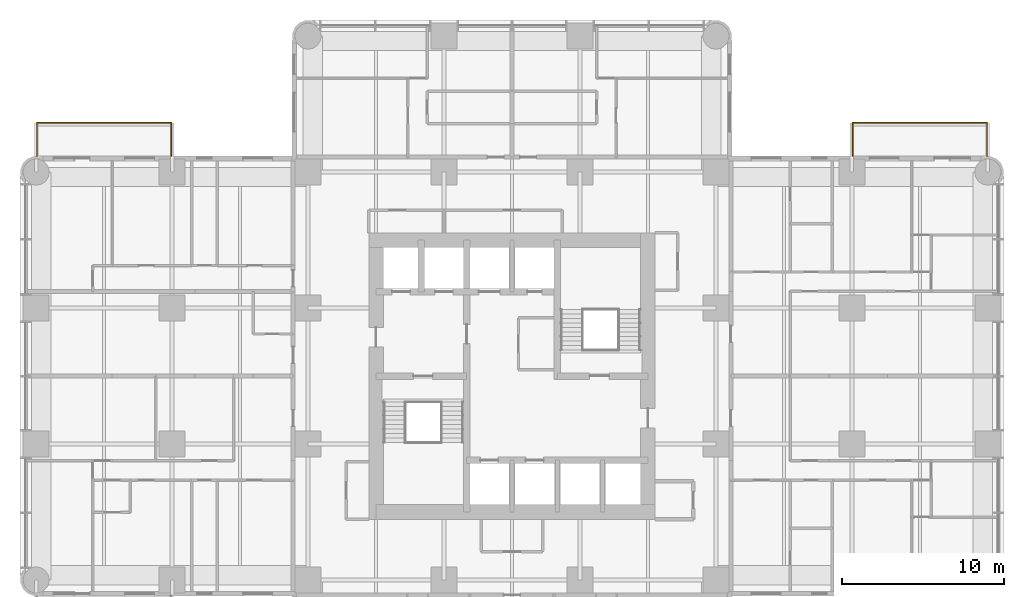
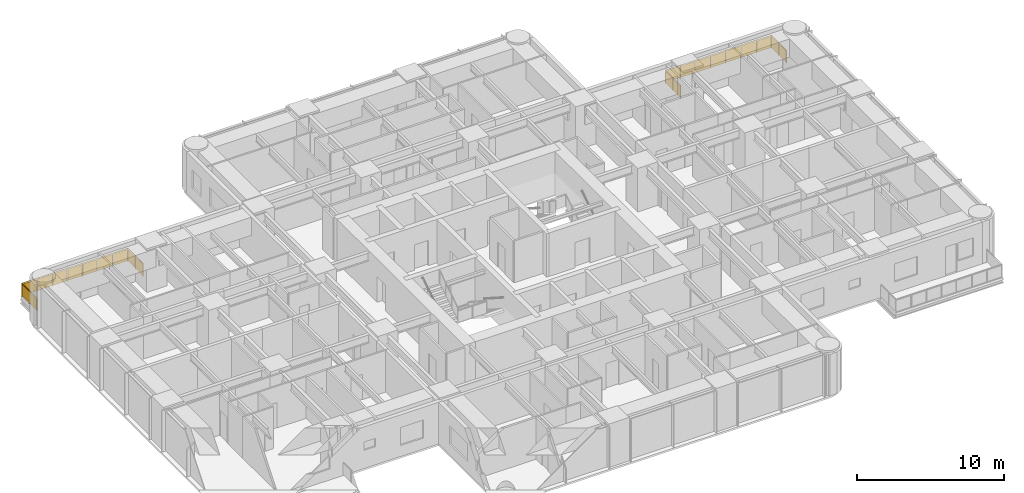
# One storey, part 15 of 15: 2 railings.
"""IFC4 building model written with IfcOpenShell, lengths in metres."""

from ifc_helpers import new_model, si_unit, direction, frame, origin, origin_2d, place, context, subcontext, project, spatial, polyline, circle, outline, extrude, material, constituent, constituent_set, type_object, element, save


model = new_model("IFC4")

# Units and contexts
model_context = context("Model", 3, precision=1e-05, world=origin(), true_north=direction((0.0, 1.0)))
body_context = subcontext(model_context, "Body", "Model", "MODEL_VIEW")
ifc_project = project(units=[si_unit("LENGTHUNIT", "METRE"), si_unit("AREAUNIT", "SQUARE_METRE"), si_unit("VOLUMEUNIT", "CUBIC_METRE"), si_unit("PLANEANGLEUNIT", "RADIAN"), si_unit("MASSUNIT", "GRAM", prefix="KILO")], contexts=[model_context])

# Site, building, storey
site_placement = place(None, origin())
site = spatial("IfcSite", under=ifc_project, at=site_placement, CompositionType="ELEMENT")
building_placement = place(site_placement, origin())
building = spatial("IfcBuilding", under=site, at=building_placement, Name="Torre Alcanfor", CompositionType="ELEMENT")
storey_placement = place(building_placement, frame((0.0, 0.0, 116.10009765625)))
storey = spatial("IfcBuildingStorey", under=building, at=storey_placement, Name="L29", CompositionType="ELEMENT", Elevation=116.10009765625)

# Railings
ifc_material_1 = material(Name="Laminated safety glass", Category="glass")
ifc_constituent_1 = constituent(ifc_material_1, Name="Infill")
ifc_material_2 = material(Name="Stainless steel ASTM A554 Grade MT 316L tube", Category="steel")
ifc_constituent_2 = constituent(ifc_material_2, Name="Posts and rail")
ifc_constituent_set = constituent_set(constituents=[ifc_constituent_1, ifc_constituent_2], Name="Balcony guard glass 1100")
railing_type = type_object("IfcRailingType", Name="Balcony guard glass 1100", PredefinedType="BALUSTRADE", material=ifc_constituent_set)
railing_1_placement = place(storey_placement, frame((50.449951171875, 43.0, 0.0)))
element("IfcRailing", 1, at=railing_1_placement, inside=storey, type_object=railing_type, Name="Balcony guard L29-E1", PredefinedType="BALUSTRADE", context=body_context, shape_type="SweptSolid", body=[
    extrude(circle(Radius=0.02392578125, at=origin_2d()), frame((0.0, 0.0, 1.076171875), z_axis=(0.0, 1.0, 0.0), x_axis=(-1.0, 0.0, 0.0)), (0.0, 0.0, 1.0), 2.050048828125),
    extrude(circle(Radius=0.02392578125, at=origin_2d()), frame((0.0, 2.050048828125, 1.076171875), z_axis=(1.0, 0.0, 0.0), x_axis=(0.0, 1.0, 0.0)), (0.0, 0.0, 1.0), 8.300048828125),
    extrude(circle(Radius=0.02392578125, at=origin_2d()), frame((8.300048828125, 2.050048828125, 1.076171875), z_axis=(0.0, -1.0, 0.0), x_axis=(1.0, 0.0, 0.0)), (0.0, 0.0, 1.0), 2.050048828125),
    extrude(circle(Radius=0.02099609375, at=origin_2d()), origin(), (0.0, 0.0, 1.0), 1.052001953125),
    extrude(circle(Radius=0.02099609375, at=origin_2d()), frame((0.0, 1.02490234375, 0.0)), (0.0, 0.0, 1.0), 1.052001953125),
    extrude(circle(Radius=0.02099609375, at=origin_2d()), frame((0.0, 2.050048828125, 0.0)), (0.0, 0.0, 1.0), 1.052001953125),
    extrude(circle(Radius=0.02099609375, at=origin_2d()), frame((1.185791015625, 2.050048828125, 0.0)), (0.0, 0.0, 1.0), 1.052001953125),
    extrude(circle(Radius=0.02099609375, at=origin_2d()), frame((2.371337890625, 2.050048828125, 0.0)), (0.0, 0.0, 1.0), 1.052001953125),
    extrude(circle(Radius=0.02099609375, at=origin_2d()), frame((3.55712890625, 2.050048828125, 0.0)), (0.0, 0.0, 1.0), 1.052001953125),
    extrude(circle(Radius=0.02099609375, at=origin_2d()), frame((4.742919921875, 2.050048828125, 0.0)), (0.0, 0.0, 1.0), 1.052001953125),
    extrude(circle(Radius=0.02099609375, at=origin_2d()), frame((5.9287109375, 2.050048828125, 0.0)), (0.0, 0.0, 1.0), 1.052001953125),
    extrude(circle(Radius=0.02099609375, at=origin_2d()), frame((7.1142578125, 2.050048828125, 0.0)), (0.0, 0.0, 1.0), 1.052001953125),
    extrude(circle(Radius=0.02099609375, at=origin_2d()), frame((8.300048828125, 2.050048828125, 0.0)), (0.0, 0.0, 1.0), 1.052001953125),
    extrude(circle(Radius=0.02099609375, at=origin_2d()), frame((8.300048828125, 1.02490234375, 0.0)), (0.0, 0.0, 1.0), 1.052001953125),
    extrude(circle(Radius=0.02099609375, at=origin_2d()), frame((8.300048828125, 0.0, 0.0)), (0.0, 0.0, 1.0), 1.052001953125),
    extrude(outline(polyline([(0.041015625, 0.050048828125), (0.984130859375, 0.050048828125), (0.984130859375, 1.001953125), (0.041015625, 1.001953125), (0.041015625, 0.050048828125)])), frame((-0.005859375, 0.0, 0.0), z_axis=(1.0, 0.0, 0.0), x_axis=(0.0, 1.0, 0.0)), (0.0, 0.0, 1.0), 0.011962890625),
    extrude(outline(polyline([(1.06591796875, 0.050048828125), (2.009033203125, 0.050048828125), (2.009033203125, 1.001953125), (1.06591796875, 1.001953125), (1.06591796875, 0.050048828125)])), frame((-0.005859375, 0.0, 0.0), z_axis=(1.0, 0.0, 0.0), x_axis=(0.0, 1.0, 0.0)), (0.0, 0.0, 1.0), 0.011962890625),
    extrude(outline(polyline([(0.041015625, 0.050048828125), (1.144775390625, 0.050048828125), (1.144775390625, 1.001953125), (0.041015625, 1.001953125), (0.041015625, 0.050048828125)])), frame((0.0, 2.05615234375, 0.0), z_axis=(0.0, -1.0, 0.0), x_axis=(1.0, 0.0, 0.0)), (0.0, 0.0, 1.0), 0.011962890625),
    extrude(outline(polyline([(1.226806640625, 0.050048828125), (2.330322265625, 0.050048828125), (2.330322265625, 1.001953125), (1.226806640625, 1.001953125), (1.226806640625, 0.050048828125)])), frame((0.0, 2.05615234375, 0.0), z_axis=(0.0, -1.0, 0.0), x_axis=(1.0, 0.0, 0.0)), (0.0, 0.0, 1.0), 0.011962890625),
    extrude(outline(polyline([(2.412353515625, 0.050048828125), (3.51611328125, 0.050048828125), (3.51611328125, 1.001953125), (2.412353515625, 1.001953125), (2.412353515625, 0.050048828125)])), frame((0.0, 2.05615234375, 0.0), z_axis=(0.0, -1.0, 0.0), x_axis=(1.0, 0.0, 0.0)), (0.0, 0.0, 1.0), 0.011962890625),
    extrude(outline(polyline([(3.59814453125, 0.050048828125), (4.701904296875, 0.050048828125), (4.701904296875, 1.001953125), (3.59814453125, 1.001953125), (3.59814453125, 0.050048828125)])), frame((0.0, 2.05615234375, 0.0), z_axis=(0.0, -1.0, 0.0), x_axis=(1.0, 0.0, 0.0)), (0.0, 0.0, 1.0), 0.011962890625),
    extrude(outline(polyline([(4.783935546875, 0.050048828125), (5.8876953125, 0.050048828125), (5.8876953125, 1.001953125), (4.783935546875, 1.001953125), (4.783935546875, 0.050048828125)])), frame((0.0, 2.05615234375, 0.0), z_axis=(0.0, -1.0, 0.0), x_axis=(1.0, 0.0, 0.0)), (0.0, 0.0, 1.0), 0.011962890625),
    extrude(outline(polyline([(5.9697265625, 0.050048828125), (7.0732421875, 0.050048828125), (7.0732421875, 1.001953125), (5.9697265625, 1.001953125), (5.9697265625, 0.050048828125)])), frame((0.0, 2.05615234375, 0.0), z_axis=(0.0, -1.0, 0.0), x_axis=(1.0, 0.0, 0.0)), (0.0, 0.0, 1.0), 0.011962890625),
    extrude(outline(polyline([(7.1552734375, 0.050048828125), (8.259033203125, 0.050048828125), (8.259033203125, 1.001953125), (7.1552734375, 1.001953125), (7.1552734375, 0.050048828125)])), frame((0.0, 2.05615234375, 0.0), z_axis=(0.0, -1.0, 0.0), x_axis=(1.0, 0.0, 0.0)), (0.0, 0.0, 1.0), 0.011962890625),
    extrude(outline(polyline([(0.041015625, 0.050048828125), (0.984130859375, 0.050048828125), (0.984130859375, 1.001953125), (0.041015625, 1.001953125), (0.041015625, 0.050048828125)])), frame((8.30615234375, 2.050048828125, 0.0), z_axis=(-1.0, 0.0, 0.0), x_axis=(0.0, -1.0, 0.0)), (0.0, 0.0, 1.0), 0.011962890625),
    extrude(outline(polyline([(1.06591796875, 0.050048828125), (2.009033203125, 0.050048828125), (2.009033203125, 1.001953125), (1.06591796875, 1.001953125), (1.06591796875, 0.050048828125)])), frame((8.30615234375, 2.050048828125, 0.0), z_axis=(-1.0, 0.0, 0.0), x_axis=(0.0, -1.0, 0.0)), (0.0, 0.0, 1.0), 0.011962890625),
])
railing_2_placement = place(storey_placement, frame((8.35009765625, 43.0, 0.0)))
element("IfcRailing", 2, at=railing_2_placement, inside=storey, type_object=railing_type, Name="Balcony guard L29-W2", PredefinedType="BALUSTRADE", context=body_context, shape_type="SweptSolid", body=[
    extrude(circle(Radius=0.02392578125, at=origin_2d()), frame((0.0, 0.0, 1.076171875), z_axis=(0.0, 1.0, 0.0), x_axis=(-1.0, 0.0, 0.0)), (0.0, 0.0, 1.0), 2.050048828125),
    extrude(circle(Radius=0.02392578125, at=origin_2d()), frame((0.0, 2.050048828125, 1.076171875), z_axis=(-1.0, 0.0, 0.0), x_axis=(0.0, -1.0, 0.0)), (0.0, 0.0, 1.0), 8.300048828125),
    extrude(circle(Radius=0.02392578125, at=origin_2d()), frame((-8.300048828125, 2.050048828125, 1.076171875), z_axis=(0.0, -1.0, 0.0), x_axis=(1.0, 0.0, 0.0)), (0.0, 0.0, 1.0), 2.050048828125),
    extrude(circle(Radius=0.02099609375, at=origin_2d()), origin(), (0.0, 0.0, 1.0), 1.052001953125),
    extrude(circle(Radius=0.02099609375, at=origin_2d()), frame((0.0, 1.02490234375, 0.0)), (0.0, 0.0, 1.0), 1.052001953125),
    extrude(circle(Radius=0.02099609375, at=origin_2d()), frame((0.0, 2.050048828125, 0.0)), (0.0, 0.0, 1.0), 1.052001953125),
    extrude(circle(Radius=0.02099609375, at=origin_2d()), frame((-1.185791015625, 2.050048828125, 0.0)), (0.0, 0.0, 1.0), 1.052001953125),
    extrude(circle(Radius=0.02099609375, at=origin_2d()), frame((-2.371337890625, 2.050048828125, 0.0)), (0.0, 0.0, 1.0), 1.052001953125),
    extrude(circle(Radius=0.02099609375, at=origin_2d()), frame((-3.55712890625, 2.050048828125, 0.0)), (0.0, 0.0, 1.0), 1.052001953125),
    extrude(circle(Radius=0.02099609375, at=origin_2d()), frame((-4.742919921875, 2.050048828125, 0.0)), (0.0, 0.0, 1.0), 1.052001953125),
    extrude(circle(Radius=0.02099609375, at=origin_2d()), frame((-5.9287109375, 2.050048828125, 0.0)), (0.0, 0.0, 1.0), 1.052001953125),
    extrude(circle(Radius=0.02099609375, at=origin_2d()), frame((-7.1142578125, 2.050048828125, 0.0)), (0.0, 0.0, 1.0), 1.052001953125),
    extrude(circle(Radius=0.02099609375, at=origin_2d()), frame((-8.300048828125, 2.050048828125, 0.0)), (0.0, 0.0, 1.0), 1.052001953125),
    extrude(circle(Radius=0.02099609375, at=origin_2d()), frame((-8.300048828125, 1.02490234375, 0.0)), (0.0, 0.0, 1.0), 1.052001953125),
    extrude(circle(Radius=0.02099609375, at=origin_2d()), frame((-8.300048828125, 0.0, 0.0)), (0.0, 0.0, 1.0), 1.052001953125),
    extrude(outline(polyline([(0.041015625, 0.050048828125), (0.984130859375, 0.050048828125), (0.984130859375, 1.001953125), (0.041015625, 1.001953125), (0.041015625, 0.050048828125)])), frame((-0.005859375, 0.0, 0.0), z_axis=(1.0, 0.0, 0.0), x_axis=(0.0, 1.0, 0.0)), (0.0, 0.0, 1.0), 0.011962890625),
    extrude(outline(polyline([(1.06591796875, 0.050048828125), (2.009033203125, 0.050048828125), (2.009033203125, 1.001953125), (1.06591796875, 1.001953125), (1.06591796875, 0.050048828125)])), frame((-0.005859375, 0.0, 0.0), z_axis=(1.0, 0.0, 0.0), x_axis=(0.0, 1.0, 0.0)), (0.0, 0.0, 1.0), 0.011962890625),
    extrude(outline(polyline([(0.041015625, 0.050048828125), (1.144775390625, 0.050048828125), (1.144775390625, 1.001953125), (0.041015625, 1.001953125), (0.041015625, 0.050048828125)])), frame((0.0, 2.0439453125, 0.0), z_axis=(0.0, 1.0, 0.0), x_axis=(-1.0, 0.0, 0.0)), (0.0, 0.0, 1.0), 0.011962890625),
    extrude(outline(polyline([(1.226806640625, 0.050048828125), (2.330322265625, 0.050048828125), (2.330322265625, 1.001953125), (1.226806640625, 1.001953125), (1.226806640625, 0.050048828125)])), frame((0.0, 2.0439453125, 0.0), z_axis=(0.0, 1.0, 0.0), x_axis=(-1.0, 0.0, 0.0)), (0.0, 0.0, 1.0), 0.011962890625),
    extrude(outline(polyline([(2.412353515625, 0.050048828125), (3.51611328125, 0.050048828125), (3.51611328125, 1.001953125), (2.412353515625, 1.001953125), (2.412353515625, 0.050048828125)])), frame((0.0, 2.0439453125, 0.0), z_axis=(0.0, 1.0, 0.0), x_axis=(-1.0, 0.0, 0.0)), (0.0, 0.0, 1.0), 0.011962890625),
    extrude(outline(polyline([(3.59814453125, 0.050048828125), (4.701904296875, 0.050048828125), (4.701904296875, 1.001953125), (3.59814453125, 1.001953125), (3.59814453125, 0.050048828125)])), frame((0.0, 2.0439453125, 0.0), z_axis=(0.0, 1.0, 0.0), x_axis=(-1.0, 0.0, 0.0)), (0.0, 0.0, 1.0), 0.011962890625),
    extrude(outline(polyline([(4.783935546875, 0.050048828125), (5.8876953125, 0.050048828125), (5.8876953125, 1.001953125), (4.783935546875, 1.001953125), (4.783935546875, 0.050048828125)])), frame((0.0, 2.0439453125, 0.0), z_axis=(0.0, 1.0, 0.0), x_axis=(-1.0, 0.0, 0.0)), (0.0, 0.0, 1.0), 0.011962890625),
    extrude(outline(polyline([(5.9697265625, 0.050048828125), (7.0732421875, 0.050048828125), (7.0732421875, 1.001953125), (5.9697265625, 1.001953125), (5.9697265625, 0.050048828125)])), frame((0.0, 2.0439453125, 0.0), z_axis=(0.0, 1.0, 0.0), x_axis=(-1.0, 0.0, 0.0)), (0.0, 0.0, 1.0), 0.011962890625),
    extrude(outline(polyline([(7.1552734375, 0.050048828125), (8.259033203125, 0.050048828125), (8.259033203125, 1.001953125), (7.1552734375, 1.001953125), (7.1552734375, 0.050048828125)])), frame((0.0, 2.0439453125, 0.0), z_axis=(0.0, 1.0, 0.0), x_axis=(-1.0, 0.0, 0.0)), (0.0, 0.0, 1.0), 0.011962890625),
    extrude(outline(polyline([(0.041015625, 0.050048828125), (0.984130859375, 0.050048828125), (0.984130859375, 1.001953125), (0.041015625, 1.001953125), (0.041015625, 0.050048828125)])), frame((-8.2939453125, 2.050048828125, 0.0), z_axis=(-1.0, 0.0, 0.0), x_axis=(0.0, -1.0, 0.0)), (0.0, 0.0, 1.0), 0.011962890625),
    extrude(outline(polyline([(1.06591796875, 0.050048828125), (2.009033203125, 0.050048828125), (2.009033203125, 1.001953125), (1.06591796875, 1.001953125), (1.06591796875, 0.050048828125)])), frame((-8.2939453125, 2.050048828125, 0.0), z_axis=(-1.0, 0.0, 0.0), x_axis=(0.0, -1.0, 0.0)), (0.0, 0.0, 1.0), 0.011962890625),
])

save(model, "model.ifc")
